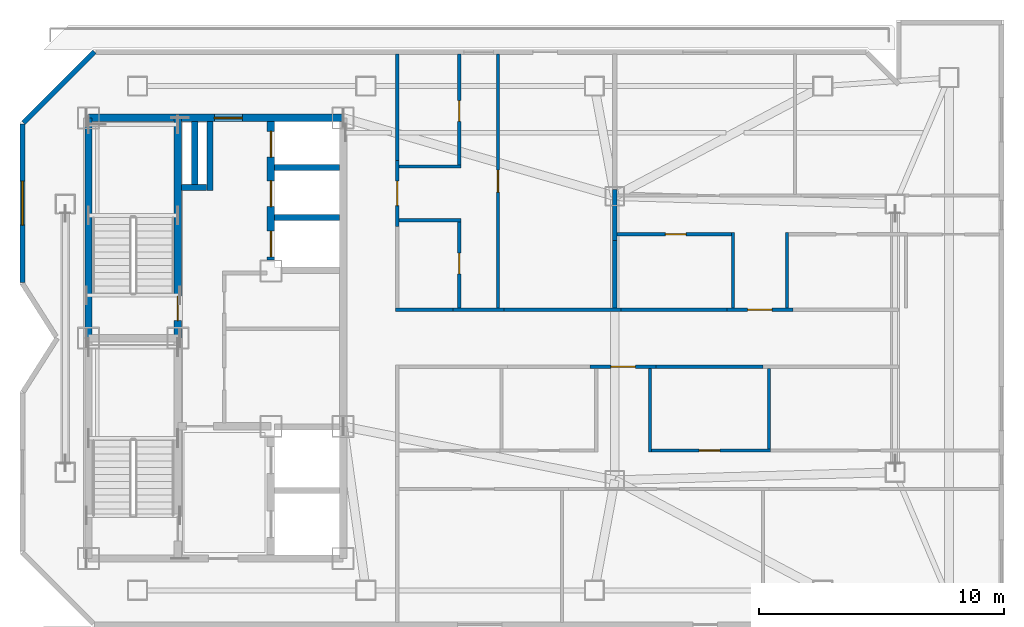
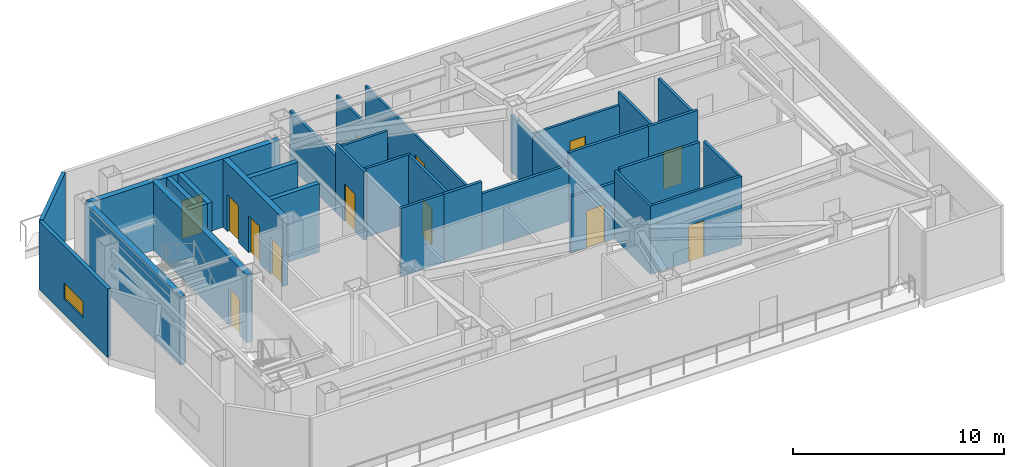
# One storey, part 5 of 10: 33 walls, 13 doors, 1 window, 14 openings.
"""IFC4 building model written with IfcOpenShell, lengths in metres."""

from ifc_helpers import new_model, si_unit, direction, frame, frame_2d, origin, place, context, subcontext, project, spatial, rectangle, extrude, material, layer, layer_set, type_object, element, fill, save


model = new_model("IFC4")

# Units and contexts
model_context = context("Model", 3, precision=1e-05, world=origin(), true_north=direction((0.0, 1.0)))
body_context = subcontext(model_context, "Body", "Model", "MODEL_VIEW")
ifc_project = project(units=[si_unit("LENGTHUNIT", "METRE"), si_unit("AREAUNIT", "SQUARE_METRE"), si_unit("VOLUMEUNIT", "CUBIC_METRE"), si_unit("PLANEANGLEUNIT", "RADIAN"), si_unit("MASSUNIT", "GRAM", prefix="KILO")], contexts=[model_context])

# Site, building, storey
site_placement = place(None, origin())
site = spatial("IfcSite", under=ifc_project, at=site_placement, CompositionType="ELEMENT")
building_placement = place(site_placement, origin())
building = spatial("IfcBuilding", under=site, at=building_placement, Name="Khamvora Tower", CompositionType="ELEMENT")
storey_placement = place(building_placement, frame((0.0, 0.0, 294.64990234375)))
storey = spatial("IfcBuildingStorey", under=building, at=storey_placement, Name="L75", CompositionType="ELEMENT", Elevation=294.64990234375)

# Wall
ifc_material_1 = material(Name="Concrete C50/60", Category="concrete")
ifc_layer_1 = layer(ifc_material_1, 0.300048828125)
ifc_layer_set_1 = layer_set([ifc_layer_1], Name="Concrete C50/60")
wall_type_1 = type_object("IfcWallType", Name="WAL-CORE-300", PredefinedType="SHEAR", material=ifc_layer_set_1)
wall_1_placement = place(storey_placement, frame((29.0, 28.0, 0.0), z_axis=(0.0, 0.0, 1.0), x_axis=(0.0, 1.0, 0.0)))
element("IfcWall", 1, at=wall_1_placement, inside=storey, type_object=wall_type_1, Name="L75 central core west north wall", PredefinedType="SHEAR", context=body_context, shape_type="SweptSolid", body=[
    extrude(rectangle(XDim=9.0, YDim=0.300048828125, at=frame_2d((4.5, 0.0))), origin(), (0.0, 0.0, 1.0), 3.9501953125),
])

# Wall, opening, door
wall_2_placement = place(storey_placement, frame((29.0, 37.0, 0.0), z_axis=(0.0, 0.0, 1.0), x_axis=(1.0, 0.0, 0.0)))
wall_2 = element("IfcWall", 2, at=wall_2_placement, inside=storey, type_object=wall_type_1, Name="L75 central core north wall", PredefinedType="SHEAR", context=body_context, shape_type="SweptSolid", body=[
    extrude(rectangle(XDim=10.39990234375, YDim=0.300048828125, at=frame_2d((5.199951171875, 0.0))), origin(), (0.0, 0.0, 1.0), 3.9501953125),
])
opening_1_placement = place(wall_2_placement, frame((5.139892578125, 0.0, 0.0)))
opening_1 = element("IfcOpeningElement", 3, at=opening_1_placement, cuts=wall_2, Name="Opening D-SC1", PredefinedType="OPENING", context=body_context, shape_type="SweptSolid", body=[
    extrude(rectangle(XDim=1.14990234375, YDim=2.199951171875, at=frame_2d((0.574951171875, 1.10009765625))), frame((0.0, 0.159912109375, 0.0), z_axis=(0.0, -1.0, 0.0), x_axis=(1.0, 0.0, 0.0)), (0.0, 0.0, 1.0), 0.320068359375),
])
ifc_material_2 = material(Name="Powder-Coated Steel and Hardwood Leaf", Category="steel")
door_type_1 = type_object("IfcDoorType", Name="DOR-SCHL-1150", OperationType="NOTDEFINED", PredefinedType="DOOR", material=ifc_material_2)
door_1_placement = place(opening_1_placement, origin())
door_1 = element("IfcDoor", 4, at=door_1_placement, inside=storey, type_object=door_type_1, Name="L75 north core lobby to corridor fire door", OperationType="SINGLE_SWING_RIGHT", OverallHeight=2.199951171875, OverallWidth=1.14990234375, PredefinedType="DOOR", context=body_context, shape_type="SweptSolid", body=[
    extrude(rectangle(XDim=1.14990234375, YDim=2.199951171875, at=frame_2d((0.574951171875, 1.10009765625))), frame((0.0, 0.02490234375, 0.0), z_axis=(0.0, -1.0, 0.0), x_axis=(1.0, 0.0, 0.0)), (0.0, 0.0, 1.0), 0.050048828125),
])
fill(opening_1, door_1)

wall_3_placement = place(storey_placement, frame((32.64990234375, 28.0, 0.0), z_axis=(0.0, 0.0, 1.0), x_axis=(0.0, 1.0, 0.0)))
wall_3 = element("IfcWall", 5, at=wall_3_placement, inside=storey, type_object=wall_type_1, Name="L75 central core stair north spine wall", PredefinedType="SHEAR", context=body_context, shape_type="SweptSolid", body=[
    extrude(rectangle(XDim=9.0, YDim=0.300048828125, at=frame_2d((4.5, 0.0))), origin(), (0.0, 0.0, 1.0), 3.9501953125),
])
opening_2_placement = place(wall_3_placement, frame((0.719970703125, 0.0, 0.0)))
opening_2 = element("IfcOpeningElement", 6, at=opening_2_placement, cuts=wall_3, Name="Opening D-ST1", PredefinedType="OPENING", context=body_context, shape_type="SweptSolid", body=[
    extrude(rectangle(XDim=1.0, YDim=2.14990234375, at=frame_2d((0.5, 1.074951171875))), frame((0.0, 0.159912109375, 0.0), z_axis=(0.0, -1.0, 0.0), x_axis=(1.0, 0.0, 0.0)), (0.0, 0.0, 1.0), 0.320068359375),
])
door_type_2 = type_object("IfcDoorType", Name="DOR-STAIR-1000", OperationType="NOTDEFINED", PredefinedType="DOOR", material=ifc_material_2)
door_2_placement = place(opening_2_placement, origin())
door_2 = element("IfcDoor", 7, at=door_2_placement, inside=storey, type_object=door_type_2, Name="L75 exit stair ST-02 fire door", OperationType="SINGLE_SWING_RIGHT", OverallHeight=2.14990234375, OverallWidth=1.0, PredefinedType="DOOR", context=body_context, shape_type="SweptSolid", body=[
    extrude(rectangle(XDim=1.0, YDim=2.14990234375, at=frame_2d((0.5, 1.074951171875))), frame((0.0, 0.02490234375, 0.0), z_axis=(0.0, -1.0, 0.0), x_axis=(1.0, 0.0, 0.0)), (0.0, 0.0, 1.0), 0.050048828125),
])
fill(opening_2, door_2)

# Wall, openings, doors
wall_4_placement = place(storey_placement, frame((36.449951171875, 31.199951171875, 0.0), z_axis=(0.0, 0.0, 1.0), x_axis=(0.0, 1.0, 0.0)))
wall_4 = element("IfcWall", 8, at=wall_4_placement, inside=storey, type_object=wall_type_1, Name="L75 central core lift bank central wall", PredefinedType="SHEAR", context=body_context, shape_type="SweptSolid", body=[
    extrude(rectangle(XDim=5.64599609375, YDim=0.300048828125, at=frame_2d((2.822998046875, 0.0))), origin(), (0.0, 0.0, 1.0), 3.9501953125),
])
opening_3_placement = place(wall_4_placement, frame((0.125, 0.0, 0.0)))
opening_3 = element("IfcOpeningElement", 9, at=opening_3_placement, cuts=wall_4, Name="Opening LD-PL", PredefinedType="OPENING", context=body_context, shape_type="SweptSolid", body=[
    extrude(rectangle(XDim=1.050048828125, YDim=2.14990234375, at=frame_2d((0.52490234375, 1.074951171875))), frame((0.0, 0.159912109375, 0.0), z_axis=(0.0, -1.0, 0.0), x_axis=(1.0, 0.0, 0.0)), (0.0, 0.0, 1.0), 0.320068359375),
])
opening_4_placement = place(wall_4_placement, frame((2.175048828125, 0.0, 0.0)))
opening_4 = element("IfcOpeningElement", 10, at=opening_4_placement, cuts=wall_4, Name="Opening LD-PL", PredefinedType="OPENING", context=body_context, shape_type="SweptSolid", body=[
    extrude(rectangle(XDim=1.050048828125, YDim=2.14990234375, at=frame_2d((0.52490234375, 1.074951171875))), frame((0.0, 0.159912109375, 0.0), z_axis=(0.0, -1.0, 0.0), x_axis=(1.0, 0.0, 0.0)), (0.0, 0.0, 1.0), 0.320068359375),
])
opening_5_placement = place(wall_4_placement, frame((4.195068359375, 0.0, 0.0)))
opening_5 = element("IfcOpeningElement", 11, at=opening_5_placement, cuts=wall_4, Name="Opening LD-PL", PredefinedType="OPENING", context=body_context, shape_type="SweptSolid", body=[
    extrude(rectangle(XDim=1.050048828125, YDim=2.14990234375, at=frame_2d((0.52490234375, 1.074951171875))), frame((0.0, 0.159912109375, 0.0), z_axis=(0.0, -1.0, 0.0), x_axis=(1.0, 0.0, 0.0)), (0.0, 0.0, 1.0), 0.320068359375),
])
door_type_3 = type_object("IfcDoorType", Name="DOR-LIFT-1050", OperationType="SLIDING_TO_LEFT", PredefinedType="DOOR", material=ifc_material_2)
door_3_placement = place(opening_3_placement, origin())
door_3 = element("IfcDoor", 12, at=door_3_placement, inside=storey, type_object=door_type_3, Name="L75 lift landing sliding door PH-01", OperationType="SLIDING_TO_LEFT", OverallHeight=2.14990234375, OverallWidth=1.050048828125, PredefinedType="DOOR", context=body_context, shape_type="SweptSolid", body=[
    extrude(rectangle(XDim=1.050048828125, YDim=2.14990234375, at=frame_2d((0.52490234375, 1.074951171875))), frame((0.0, 0.02490234375, 0.0), z_axis=(0.0, -1.0, 0.0), x_axis=(1.0, 0.0, 0.0)), (0.0, 0.0, 1.0), 0.050048828125),
])
fill(opening_3, door_3)
door_4_placement = place(opening_4_placement, origin())
door_4 = element("IfcDoor", 13, at=door_4_placement, inside=storey, type_object=door_type_3, Name="L75 lift landing sliding door PH-02", OperationType="SLIDING_TO_LEFT", OverallHeight=2.14990234375, OverallWidth=1.050048828125, PredefinedType="DOOR", context=body_context, shape_type="SweptSolid", body=[
    extrude(rectangle(XDim=1.050048828125, YDim=2.14990234375, at=frame_2d((0.52490234375, 1.074951171875))), frame((0.0, 0.02490234375, 0.0), z_axis=(0.0, -1.0, 0.0), x_axis=(1.0, 0.0, 0.0)), (0.0, 0.0, 1.0), 0.050048828125),
])
fill(opening_4, door_4)
door_5_placement = place(opening_5_placement, origin())
door_5 = element("IfcDoor", 14, at=door_5_placement, inside=storey, type_object=door_type_3, Name="L75 lift landing sliding door PH-03", OperationType="SLIDING_TO_LEFT", OverallHeight=2.14990234375, OverallWidth=1.050048828125, PredefinedType="DOOR", context=body_context, shape_type="SweptSolid", body=[
    extrude(rectangle(XDim=1.050048828125, YDim=2.14990234375, at=frame_2d((0.52490234375, 1.074951171875))), frame((0.0, 0.02490234375, 0.0), z_axis=(0.0, -1.0, 0.0), x_axis=(1.0, 0.0, 0.0)), (0.0, 0.0, 1.0), 0.050048828125),
])
fill(opening_5, door_5)

# Wall, opening, door
ifc_material_3 = material(Name="Fire-Rated Drywall and Steel Stud", Category="steel")
ifc_layer_2 = layer(ifc_material_3, 0.14990234375)
ifc_layer_set_2 = layer_set([ifc_layer_2], Name="Fire-Rated Drywall and Steel Stud")
wall_type_2 = type_object("IfcWallType", Name="WAL-CORR-150", PredefinedType="STANDARD", material=ifc_layer_set_2)
wall_5_placement = place(storey_placement, frame((52.18505859375, 26.8349609375, 0.0), z_axis=(0.0, 0.0, 1.0), x_axis=(-1.0, 0.0, 0.0)))
wall_5 = element("IfcWall", 15, at=wall_5_placement, inside=storey, type_object=wall_type_2, Name="L75 interior partition wall 008", PredefinedType="STANDARD", context=body_context, shape_type="SweptSolid", body=[
    extrude(rectangle(XDim=2.697998046875, YDim=0.14990234375, at=frame_2d((1.34912109375, 0.0))), origin(), (0.0, 0.0, 1.0), 3.2451171875),
])
opening_6_placement = place(wall_5_placement, frame((0.84912109375, 0.0, 0.0)))
opening_6 = element("IfcOpeningElement", 16, at=opening_6_placement, cuts=wall_5, Name="Opening D-U1", PredefinedType="OPENING", context=body_context, shape_type="SweptSolid", body=[
    extrude(rectangle(XDim=1.0, YDim=2.14990234375, at=frame_2d((0.5, 1.074951171875))), frame((0.0, 0.0849609375, 0.0), z_axis=(0.0, -1.0, 0.0), x_axis=(1.0, 0.0, 0.0)), (0.0, 0.0, 1.0), 0.169921875),
])
door_type_4 = type_object("IfcDoorType", Name="DOR-UNIT-1000", OperationType="NOTDEFINED", PredefinedType="DOOR", material=ifc_material_2)
door_6_placement = place(opening_6_placement, origin())
door_6 = element("IfcDoor", 17, at=door_6_placement, inside=storey, type_object=door_type_4, Name="L75 interior door COR-75BH", OperationType="SINGLE_SWING_LEFT", OverallHeight=2.14990234375, OverallWidth=1.0, PredefinedType="DOOR", context=body_context, shape_type="SweptSolid", body=[
    extrude(rectangle(XDim=1.0, YDim=2.14990234375, at=frame_2d((0.5, 1.074951171875))), frame((0.0, 0.02490234375, 0.0), z_axis=(0.0, -1.0, 0.0), x_axis=(1.0, 0.0, 0.0)), (0.0, 0.0, 1.0), 0.050048828125),
])
fill(opening_6, door_6)

# Walls
wall_6_placement = place(storey_placement, frame((56.552001953125, 26.8349609375, 0.0), z_axis=(0.0, 0.0, 1.0), x_axis=(-1.0, 0.0, 0.0)))
element("IfcWall", 18, at=wall_6_placement, inside=storey, type_object=wall_type_2, Name="L75 interior partition wall 011", PredefinedType="STANDARD", context=body_context, shape_type="SweptSolid", body=[
    extrude(rectangle(XDim=4.366943359375, YDim=0.14990234375, at=frame_2d((2.18359375, 0.0))), origin(), (0.0, 0.0, 1.0), 3.9501953125),
])
wall_7_placement = place(storey_placement, frame((43.89599609375, 29.1650390625, 0.0), z_axis=(0.0, 0.0, 1.0), x_axis=(1.0, 0.0, 0.0)))
element("IfcWall", 19, at=wall_7_placement, inside=storey, type_object=wall_type_2, Name="L75 interior partition wall 013", PredefinedType="STANDARD", context=body_context, shape_type="SweptSolid", body=[
    extrude(rectangle(XDim=2.078125, YDim=0.14990234375, at=frame_2d((1.0390625, 0.0))), origin(), (0.0, 0.0, 1.0), 3.9501953125),
])

# Wall, opening, door
wall_8_placement = place(storey_placement, frame((41.614990234375, 35.264892578125, 0.0), z_axis=(0.0, 0.0, 1.0), x_axis=(0.0, -1.0, 0.0)))
wall_8 = element("IfcWall", 20, at=wall_8_placement, inside=storey, type_object=wall_type_2, Name="L75 interior partition wall 014", PredefinedType="STANDARD", context=body_context, shape_type="SweptSolid", body=[
    extrude(rectangle(XDim=2.697998046875, YDim=0.14990234375, at=frame_2d((1.34912109375, 0.0))), origin(), (0.0, 0.0, 1.0), 3.9501953125),
])
opening_7_placement = place(wall_8_placement, frame((0.84912109375, 0.0, 0.0)))
opening_7 = element("IfcOpeningElement", 21, at=opening_7_placement, cuts=wall_8, Name="Opening D-U1", PredefinedType="OPENING", context=body_context, shape_type="SweptSolid", body=[
    extrude(rectangle(XDim=1.0, YDim=2.14990234375, at=frame_2d((0.5, 1.074951171875))), frame((0.0, 0.0849609375, 0.0), z_axis=(0.0, -1.0, 0.0), x_axis=(1.0, 0.0, 0.0)), (0.0, 0.0, 1.0), 0.169921875),
])
door_7_placement = place(opening_7_placement, origin())
door_7 = element("IfcDoor", 22, at=door_7_placement, inside=storey, type_object=door_type_4, Name="L75 interior door COR-75CH", OperationType="SINGLE_SWING_RIGHT", OverallHeight=2.14990234375, OverallWidth=1.0, PredefinedType="DOOR", context=body_context, shape_type="SweptSolid", body=[
    extrude(rectangle(XDim=1.0, YDim=2.14990234375, at=frame_2d((0.5, 1.074951171875))), frame((0.0, 0.02490234375, 0.0), z_axis=(0.0, -1.0, 0.0), x_axis=(1.0, 0.0, 0.0)), (0.0, 0.0, 1.0), 0.050048828125),
])
fill(opening_7, door_7)

# Walls
wall_9_placement = place(storey_placement, frame((41.550048828125, 29.1650390625, 0.0), z_axis=(0.0, 0.0, 1.0), x_axis=(1.0, 0.0, 0.0)))
element("IfcWall", 23, at=wall_9_placement, inside=storey, type_object=wall_type_2, Name="L75 interior partition wall 015", PredefinedType="STANDARD", context=body_context, shape_type="SweptSolid", body=[
    extrude(rectangle(XDim=2.345947265625, YDim=0.14990234375, at=frame_2d((1.1728515625, 0.0))), origin(), (0.0, 0.0, 1.0), 3.9501953125),
])
wall_10_placement = place(storey_placement, frame((41.614990234375, 39.60791015625, 0.0), z_axis=(0.0, 0.0, 1.0), x_axis=(0.0, -1.0, 0.0)))
element("IfcWall", 24, at=wall_10_placement, inside=storey, type_object=wall_type_2, Name="L75 interior partition wall 017", PredefinedType="STANDARD", context=body_context, shape_type="SweptSolid", body=[
    extrude(rectangle(XDim=4.343017578125, YDim=0.14990234375, at=frame_2d((2.17138671875, 0.0))), origin(), (0.0, 0.0, 1.0), 3.2451171875),
])
wall_11_placement = place(storey_placement, frame((45.97412109375, 29.1650390625, 0.0), z_axis=(0.0, 0.0, 1.0), x_axis=(1.0, 0.0, 0.0)))
element("IfcWall", 25, at=wall_11_placement, inside=storey, type_object=wall_type_2, Name="L75 interior partition wall 018", PredefinedType="STANDARD", context=body_context, shape_type="SweptSolid", body=[
    extrude(rectangle(XDim=4.769775390625, YDim=0.14990234375, at=frame_2d((2.384765625, 0.0))), origin(), (0.0, 0.0, 1.0), 3.2451171875),
])

# Wall, opening, door
wall_12_placement = place(storey_placement, frame((55.08203125, 29.1650390625, 0.0), z_axis=(0.0, 0.0, 1.0), x_axis=(1.0, 0.0, 0.0)))
wall_12 = element("IfcWall", 26, at=wall_12_placement, inside=storey, type_object=wall_type_2, Name="L75 interior partition wall 019", PredefinedType="STANDARD", context=body_context, shape_type="SweptSolid", body=[
    extrude(rectangle(XDim=2.697998046875, YDim=0.14990234375, at=frame_2d((1.34912109375, 0.0))), origin(), (0.0, 0.0, 1.0), 3.9501953125),
])
opening_8_placement = place(wall_12_placement, frame((0.84912109375, 0.0, 0.0)))
opening_8 = element("IfcOpeningElement", 27, at=opening_8_placement, cuts=wall_12, Name="Opening D-U1", PredefinedType="OPENING", context=body_context, shape_type="SweptSolid", body=[
    extrude(rectangle(XDim=1.0, YDim=2.14990234375, at=frame_2d((0.5, 1.074951171875))), frame((0.0, 0.0849609375, 0.0), z_axis=(0.0, -1.0, 0.0), x_axis=(1.0, 0.0, 0.0)), (0.0, 0.0, 1.0), 0.169921875),
])
door_8_placement = place(opening_8_placement, origin())
door_8 = element("IfcDoor", 28, at=door_8_placement, inside=storey, type_object=door_type_4, Name="L75 interior door COR-75DH", OperationType="SINGLE_SWING_LEFT", OverallHeight=2.14990234375, OverallWidth=1.0, PredefinedType="DOOR", context=body_context, shape_type="SweptSolid", body=[
    extrude(rectangle(XDim=1.0, YDim=2.14990234375, at=frame_2d((0.5, 1.074951171875))), frame((0.0, 0.02490234375, 0.0), z_axis=(0.0, -1.0, 0.0), x_axis=(1.0, 0.0, 0.0)), (0.0, 0.0, 1.0), 0.050048828125),
])
fill(opening_8, door_8)

# Walls
wall_13_placement = place(storey_placement, frame((50.743896484375, 29.1650390625, 0.0), z_axis=(0.0, 0.0, 1.0), x_axis=(1.0, 0.0, 0.0)))
element("IfcWall", 29, at=wall_13_placement, inside=storey, type_object=wall_type_2, Name="L75 interior partition wall 020", PredefinedType="STANDARD", context=body_context, shape_type="SweptSolid", body=[
    extrude(rectangle(XDim=4.338134765625, YDim=0.14990234375, at=frame_2d((2.1689453125, 0.0))), origin(), (0.0, 0.0, 1.0), 3.9501953125),
])
ifc_material_4 = material(Name="Acoustic Double-Stud Fire Wall", Category="gypsum")
ifc_layer_3 = layer(ifc_material_4, 0.179931640625)
ifc_layer_set_3 = layer_set([ifc_layer_3], Name="Acoustic Double-Stud Fire Wall")
wall_type_3 = type_object("IfcWallType", Name="WAL-CORR-180", PredefinedType="STANDARD", material=ifc_layer_set_3)
wall_14_placement = place(storey_placement, frame((50.4951171875, 34.068115234375, 0.0), z_axis=(0.0, 0.0, 1.0), x_axis=(0.0, -1.0, 0.0)))
element("IfcWall", 30, at=wall_14_placement, inside=storey, type_object=wall_type_3, Name="L75 interior partition wall 040", PredefinedType="STANDARD", context=body_context, shape_type="SweptSolid", body=[
    extrude(rectangle(XDim=2.069091796875, YDim=0.179931640625, at=frame_2d((1.03466796875, 0.0))), origin(), (0.0, 0.0, 1.0), 3.2451171875),
])
wall_15_placement = place(storey_placement, frame((50.4951171875, 31.9990234375, 0.0), z_axis=(0.0, 0.0, 1.0), x_axis=(0.0, -1.0, 0.0)))
element("IfcWall", 31, at=wall_15_placement, inside=storey, type_object=wall_type_3, Name="L75 interior partition wall 041", PredefinedType="STANDARD", context=body_context, shape_type="SweptSolid", body=[
    extrude(rectangle(XDim=2.76904296875, YDim=0.179931640625, at=frame_2d((1.384521484375, 0.0))), origin(), (0.0, 0.0, 1.0), 3.2451171875),
])

# Wall, opening, window
ifc_material_5 = material(Name="Precast concrete C40/50", Category="concrete")
ifc_layer_4 = layer(ifc_material_5, 0.199951171875)
ifc_layer_set_4 = layer_set([ifc_layer_4], Name="Precast concrete C40/50")
wall_type_4 = type_object("IfcWallType", Name="WAL-EXT-200", PredefinedType="STANDARD", material=ifc_layer_set_4)
wall_16_placement = place(storey_placement, frame((26.300048828125, 30.27392578125, 0.0), z_axis=(0.0, 0.0, 1.0), x_axis=(0.0, 1.0, 0.0)))
wall_16 = element("IfcWall", 32, at=wall_16_placement, inside=storey, type_object=wall_type_4, Name="L75 exterior facade wall 06.1", PredefinedType="STANDARD", context=body_context, shape_type="SweptSolid", body=[
    extrude(rectangle(XDim=6.485107421875, YDim=0.199951171875, at=frame_2d((3.24267578125, 0.0))), origin(), (0.0, 0.0, 1.0), 3.9501953125),
])
opening_9_placement = place(wall_16_placement, frame((2.342041015625, 0.0, 0.89990234375)))
opening_9 = element("IfcOpeningElement", 33, at=opening_9_placement, cuts=wall_16, Name="Opening WN-09", PredefinedType="OPENING", context=body_context, shape_type="SweptSolid", body=[
    extrude(rectangle(XDim=1.800048828125, YDim=0.919921875, at=frame_2d((0.89990234375, 0.4599609375))), frame((0.0, 0.10986328125, 0.0), z_axis=(0.0, -1.0, 0.0), x_axis=(1.0, 0.0, 0.0)), (0.0, 0.0, 1.0), 0.219970703125),
])
ifc_material_6 = material(Name="Low-E Laminated Double Glazing", Category="glass")
window_type = type_object("IfcWindowType", Name="WIN-CLR-1800x920", PartitioningType="SINGLE_PANEL", PredefinedType="WINDOW", material=ifc_material_6)
window_placement = place(opening_9_placement, origin())
window = element("IfcWindow", 34, at=window_placement, inside=storey, type_object=window_type, Name="L75 vision window 06.1.01", OverallHeight=0.919921875, OverallWidth=1.800048828125, PartitioningType="SINGLE_PANEL", PredefinedType="WINDOW", context=body_context, shape_type="SweptSolid", body=[
    extrude(rectangle(XDim=1.800048828125, YDim=0.919921875, at=frame_2d((0.89990234375, 0.4599609375))), frame((0.0, 0.030029296875, 0.0), z_axis=(0.0, -1.0, 0.0), x_axis=(1.0, 0.0, 0.0)), (0.0, 0.0, 1.0), 0.06005859375),
])
fill(opening_9, window)

# Wall
wall_17_placement = place(storey_placement, frame((26.343994140625, 36.802978515625, 0.0), z_axis=(0.0, 0.0, 1.0), x_axis=(0.707106781187, 0.707106781187, 0.0)))
element("IfcWall", 35, at=wall_17_placement, inside=storey, type_object=wall_type_4, Name="L75 exterior facade wall 07.1", PredefinedType="STANDARD", context=body_context, shape_type="SweptSolid", body=[
    extrude(rectangle(XDim=4.096923828125, YDim=0.199951171875, at=frame_2d((2.04833984375, 0.0))), origin(), (0.0, 0.0, 1.0), 3.9501953125),
])

# Wall, opening, door
ifc_material_7 = material(Name="Gypsum Plasterboard Partition", Category="gypsum")
ifc_layer_5 = layer(ifc_material_7, 0.1201171875)
ifc_layer_set_5 = layer_set([ifc_layer_5], Name="Gypsum Plasterboard Partition")
wall_type_5 = type_object("IfcWallType", Name="WAL-PART-120", PredefinedType="PARTITIONING", material=ifc_layer_set_5)
wall_18_placement = place(storey_placement, frame((45.72509765625, 39.60791015625, 0.0), z_axis=(0.0, 0.0, 1.0), x_axis=(0.0, -1.0, 0.0)))
wall_18 = element("IfcWall", 36, at=wall_18_placement, inside=storey, type_object=wall_type_5, Name="L75 interior partition wall 039", PredefinedType="PARTITIONING", context=body_context, shape_type="SweptSolid", body=[
    extrude(rectangle(XDim=10.3779296875, YDim=0.1201171875, at=frame_2d((5.18896484375, 0.0))), origin(), (0.0, 0.0, 1.0), 3.2451171875),
])
opening_10_placement = place(wall_18_placement, frame((4.739013671875, 0.0, 0.0)))
opening_10 = element("IfcOpeningElement", 37, at=opening_10_placement, cuts=wall_18, Name="Opening D-RM1", PredefinedType="OPENING", context=body_context, shape_type="SweptSolid", body=[
    extrude(rectangle(XDim=0.89990234375, YDim=2.10009765625, at=frame_2d((0.449951171875, 1.050048828125))), frame((0.0, 0.070068359375, 0.0), z_axis=(0.0, -1.0, 0.0), x_axis=(1.0, 0.0, 0.0)), (0.0, 0.0, 1.0), 0.14013671875),
])
door_type_5 = type_object("IfcDoorType", Name="DOR-ROOM-900", OperationType="NOTDEFINED", PredefinedType="DOOR", material=ifc_material_2)
door_9_placement = place(opening_10_placement, origin())
door_9 = element("IfcDoor", 38, at=door_9_placement, inside=storey, type_object=door_type_5, Name="L75 interior door 75CH-75CR1", OperationType="SINGLE_SWING_LEFT", OverallHeight=2.10009765625, OverallWidth=0.89990234375, PredefinedType="DOOR", context=body_context, shape_type="SweptSolid", body=[
    extrude(rectangle(XDim=0.89990234375, YDim=2.10009765625, at=frame_2d((0.449951171875, 1.050048828125))), frame((0.0, 0.02490234375, 0.0), z_axis=(0.0, -1.0, 0.0), x_axis=(1.0, 0.0, 0.0)), (0.0, 0.0, 1.0), 0.050048828125),
])
fill(opening_10, door_9)

# Walls
ifc_material_8 = material(Name="Concrete C40/50", Category="concrete")
ifc_layer_6 = layer(ifc_material_8, 0.25)
ifc_layer_set_6 = layer_set([ifc_layer_6], Name="Concrete C40/50")
wall_type_6 = type_object("IfcWallType", Name="WAL-PODS-250", PredefinedType="SHEAR", material=ifc_layer_set_6)
for number, where, z_axis, x_axis, name in (
    (39, (36.60400390625, 32.925048828125, 0.0), (0.0, 0.0, 1.0), (1.0, 0.0, 0.0), "L75 lift shaft divider wall PH-01"),
    (40, (36.60400390625, 34.97509765625, 0.0), (0.0, 0.0, 1.0), (1.0, 0.0, 0.0), "L75 lift shaft divider wall PH-02"),
):
    element("IfcWall", number, at=place(storey_placement, frame(where, z_axis=z_axis, x_axis=x_axis)), inside=storey, type_object=wall_type_6, Name=name, PredefinedType="SHEAR", context=body_context, shape_type="SweptSolid", body=[
        extrude(rectangle(XDim=2.64208984375, YDim=0.25, at=frame_2d((1.321044921875, 0.0))), origin(), (0.0, 0.0, 1.0), 3.9501953125),
    ])
wall_19_placement = place(storey_placement, frame((33.955078125, 34.02490234375, 0.0), z_axis=(0.0, 0.0, 1.0), x_axis=(0.0, 1.0, 0.0)))
element("IfcWall", 41, at=wall_19_placement, inside=storey, type_object=wall_type_6, Name="L75 vertical MEP riser shaft east enclosure wall", PredefinedType="SHEAR", context=body_context, shape_type="SweptSolid", body=[
    extrude(rectangle(XDim=2.821044921875, YDim=0.25, at=frame_2d((1.41064453125, 0.0))), origin(), (0.0, 0.0, 1.0), 3.9501953125),
])
wall_20_placement = place(storey_placement, frame((32.803955078125, 34.14990234375, 0.0), z_axis=(0.0, 0.0, 1.0), x_axis=(1.0, 0.0, 0.0)))
element("IfcWall", 42, at=wall_20_placement, inside=storey, type_object=wall_type_6, Name="L75 vertical MEP riser shaft south enclosure wall", PredefinedType="SHEAR", context=body_context, shape_type="SweptSolid", body=[
    extrude(rectangle(XDim=1.02197265625, YDim=0.25, at=frame_2d((0.510986328125, 0.0))), origin(), (0.0, 0.0, 1.0), 3.9501953125),
])
wall_21_placement = place(storey_placement, frame((33.340087890625, 34.279052734375, 0.0), z_axis=(0.0, 0.0, 1.0), x_axis=(0.0, 1.0, 0.0)))
element("IfcWall", 43, at=wall_21_placement, inside=storey, type_object=wall_type_6, Name="L75 vertical MEP riser shaft divider enclosure wall", PredefinedType="SHEAR", context=body_context, shape_type="SweptSolid", body=[
    extrude(rectangle(XDim=2.56689453125, YDim=0.25, at=frame_2d((1.283447265625, 0.0))), origin(), (0.0, 0.0, 1.0), 3.9501953125),
])
ifc_material_9 = material(Name="Moisture-Resistant Plasterboard Partition", Category="gypsum")
ifc_layer_7 = layer(ifc_material_9, 0.135009765625)
ifc_layer_set_7 = layer_set([ifc_layer_7], Name="Moisture-Resistant Plasterboard Partition")
wall_type_7 = type_object("IfcWallType", Name="WAL-WET-135", PredefinedType="PARTITIONING", material=ifc_layer_set_7)
wall_22_placement = place(storey_placement, frame((56.801025390625, 23.48095703125, 0.0), z_axis=(0.0, 0.0, 1.0), x_axis=(0.0, 1.0, 0.0)))
element("IfcWall", 44, at=wall_22_placement, inside=storey, type_object=wall_type_7, Name="L75 interior partition wall 025", PredefinedType="PARTITIONING", context=body_context, shape_type="SweptSolid", body=[
    extrude(rectangle(XDim=3.2890625, YDim=0.135009765625, at=frame_2d((1.64453125, 0.0))), origin(), (0.0, 0.0, 1.0), 3.9501953125),
])
wall_23_placement = place(storey_placement, frame((51.93603515625, 26.77001953125, 0.0), z_axis=(0.0, 0.0, 1.0), x_axis=(0.0, -1.0, 0.0)))
element("IfcWall", 45, at=wall_23_placement, inside=storey, type_object=wall_type_7, Name="L75 interior partition wall 028", PredefinedType="PARTITIONING", context=body_context, shape_type="SweptSolid", body=[
    extrude(rectangle(XDim=3.4189453125, YDim=0.135009765625, at=frame_2d((1.70947265625, 0.0))), origin(), (0.0, 0.0, 1.0), 3.9501953125),
])

# Wall, opening, door
wall_24_placement = place(storey_placement, frame((51.87109375, 23.416015625, 0.0), z_axis=(0.0, 0.0, 1.0), x_axis=(1.0, 0.0, 0.0)))
wall_24 = element("IfcWall", 46, at=wall_24_placement, inside=storey, type_object=wall_type_7, Name="L75 interior partition wall 029", PredefinedType="PARTITIONING", context=body_context, shape_type="SweptSolid", body=[
    extrude(rectangle(XDim=4.994873046875, YDim=0.135009765625, at=frame_2d((2.49755859375, 0.0))), origin(), (0.0, 0.0, 1.0), 3.9501953125),
])
opening_11_placement = place(wall_24_placement, frame((2.072998046875, 0.0, 0.0)))
opening_11 = element("IfcOpeningElement", 47, at=opening_11_placement, cuts=wall_24, Name="Opening D-RM2", PredefinedType="OPENING", context=body_context, shape_type="SweptSolid", body=[
    extrude(rectangle(XDim=0.85009765625, YDim=2.10009765625, at=frame_2d((0.425048828125, 1.050048828125))), frame((0.0, 0.077392578125, 0.0), z_axis=(0.0, -1.0, 0.0), x_axis=(1.0, 0.0, 0.0)), (0.0, 0.0, 1.0), 0.155029296875),
])
door_type_6 = type_object("IfcDoorType", Name="DOR-ROOM-850", OperationType="NOTDEFINED", PredefinedType="DOOR", material=ifc_material_2)
door_10_placement = place(opening_11_placement, origin())
door_10 = element("IfcDoor", 48, at=door_10_placement, inside=storey, type_object=door_type_6, Name="L75 interior door 75BH-75BK", OperationType="SINGLE_SWING_LEFT", OverallHeight=2.10009765625, OverallWidth=0.85009765625, PredefinedType="DOOR", context=body_context, shape_type="SweptSolid", body=[
    extrude(rectangle(XDim=0.85009765625, YDim=2.10009765625, at=frame_2d((0.425048828125, 1.050048828125))), frame((0.0, 0.02490234375, 0.0), z_axis=(0.0, -1.0, 0.0), x_axis=(1.0, 0.0, 0.0)), (0.0, 0.0, 1.0), 0.050048828125),
])
fill(opening_11, door_10)

wall_25_placement = place(storey_placement, frame((44.14501953125, 29.22998046875, 0.0), z_axis=(0.0, 0.0, 1.0), x_axis=(0.0, 1.0, 0.0)))
wall_25 = element("IfcWall", 49, at=wall_25_placement, inside=storey, type_object=wall_type_7, Name="L75 interior partition wall 035", PredefinedType="PARTITIONING", context=body_context, shape_type="SweptSolid", body=[
    extrude(rectangle(XDim=3.651123046875, YDim=0.135009765625, at=frame_2d((1.82568359375, 0.0))), origin(), (0.0, 0.0, 1.0), 3.9501953125),
])
opening_12_placement = place(wall_25_placement, frame((1.39990234375, 0.0, 0.0)))
opening_12 = element("IfcOpeningElement", 50, at=opening_12_placement, cuts=wall_25, Name="Opening D-WC1", PredefinedType="OPENING", context=body_context, shape_type="SweptSolid", body=[
    extrude(rectangle(XDim=0.85009765625, YDim=2.10009765625, at=frame_2d((0.425048828125, 1.050048828125))), frame((0.0, 0.077392578125, 0.0), z_axis=(0.0, -1.0, 0.0), x_axis=(1.0, 0.0, 0.0)), (0.0, 0.0, 1.0), 0.155029296875),
])
door_type_7 = type_object("IfcDoorType", Name="DOR-WET-850", OperationType="NOTDEFINED", PredefinedType="DOOR", material=ifc_material_2)
door_11_placement = place(opening_12_placement, origin())
door_11 = element("IfcDoor", 51, at=door_11_placement, inside=storey, type_object=door_type_7, Name="L75 interior door 75CH-75CB", OperationType="SINGLE_SWING_LEFT", OverallHeight=2.10009765625, OverallWidth=0.85009765625, PredefinedType="DOOR", context=body_context, shape_type="SweptSolid", body=[
    extrude(rectangle(XDim=0.85009765625, YDim=2.10009765625, at=frame_2d((0.425048828125, 1.050048828125))), frame((0.0, 0.02490234375, 0.0), z_axis=(0.0, -1.0, 0.0), x_axis=(1.0, 0.0, 0.0)), (0.0, 0.0, 1.0), 0.050048828125),
])
fill(opening_12, door_11)

# Walls
for number, where, z_axis, x_axis, name in (
    (52, (44.2099609375, 32.81591796875, 0.0), (0.0, 0.0, 1.0), (-1.0, 0.0, 0.0), "L75 interior partition wall 036"),
    (53, (41.681884765625, 35.01611328125, 0.0), (0.0, 0.0, 1.0), (1.0, 0.0, 0.0), "L75 interior partition wall 037"),
):
    element("IfcWall", number, at=place(storey_placement, frame(where, z_axis=z_axis, x_axis=x_axis)), inside=storey, type_object=wall_type_7, Name=name, PredefinedType="PARTITIONING", context=body_context, shape_type="SweptSolid", body=[
        extrude(rectangle(XDim=2.528076171875, YDim=0.135009765625, at=frame_2d((1.26416015625, 0.0))), origin(), (0.0, 0.0, 1.0), 3.9501953125),
    ])

# Wall, opening, door
wall_26_placement = place(storey_placement, frame((44.14501953125, 34.950927734375, 0.0), z_axis=(0.0, 0.0, 1.0), x_axis=(0.0, 1.0, 0.0)))
wall_26 = element("IfcWall", 54, at=wall_26_placement, inside=storey, type_object=wall_type_7, Name="L75 interior partition wall 038", PredefinedType="PARTITIONING", context=body_context, shape_type="SweptSolid", body=[
    extrude(rectangle(XDim=4.656982421875, YDim=0.135009765625, at=frame_2d((2.32861328125, 0.0))), origin(), (0.0, 0.0, 1.0), 3.2451171875),
])
opening_13_placement = place(wall_26_placement, frame((1.903076171875, 0.0, 0.0)))
opening_13 = element("IfcOpeningElement", 55, at=opening_13_placement, cuts=wall_26, Name="Opening D-RM2", PredefinedType="OPENING", context=body_context, shape_type="SweptSolid", body=[
    extrude(rectangle(XDim=0.85009765625, YDim=2.10009765625, at=frame_2d((0.425048828125, 1.050048828125))), frame((0.0, 0.077392578125, 0.0), z_axis=(0.0, -1.0, 0.0), x_axis=(1.0, 0.0, 0.0)), (0.0, 0.0, 1.0), 0.155029296875),
])
door_12_placement = place(opening_13_placement, origin())
door_12 = element("IfcDoor", 56, at=door_12_placement, inside=storey, type_object=door_type_6, Name="L75 interior door 75CH-75CK", OperationType="SINGLE_SWING_RIGHT", OverallHeight=2.10009765625, OverallWidth=0.85009765625, PredefinedType="DOOR", context=body_context, shape_type="SweptSolid", body=[
    extrude(rectangle(XDim=0.85009765625, YDim=2.10009765625, at=frame_2d((0.425048828125, 1.050048828125))), frame((0.0, 0.02490234375, 0.0), z_axis=(0.0, -1.0, 0.0), x_axis=(1.0, 0.0, 0.0)), (0.0, 0.0, 1.0), 0.050048828125),
])
fill(opening_13, door_12)

# Wall
wall_27_placement = place(storey_placement, frame((55.3310546875, 29.22998046875, 0.0), z_axis=(0.0, 0.0, 1.0), x_axis=(0.0, 1.0, 0.0)))
element("IfcWall", 57, at=wall_27_placement, inside=storey, type_object=wall_type_7, Name="L75 interior partition wall 045", PredefinedType="PARTITIONING", context=body_context, shape_type="SweptSolid", body=[
    extrude(rectangle(XDim=3.0791015625, YDim=0.135009765625, at=frame_2d((1.53955078125, 0.0))), origin(), (0.0, 0.0, 1.0), 3.9501953125),
])

# Wall, opening, door
wall_28_placement = place(storey_placement, frame((55.39599609375, 32.243896484375, 0.0), z_axis=(0.0, 0.0, 1.0), x_axis=(-1.0, 0.0, 0.0)))
wall_28 = element("IfcWall", 58, at=wall_28_placement, inside=storey, type_object=wall_type_7, Name="L75 interior partition wall 046", PredefinedType="PARTITIONING", context=body_context, shape_type="SweptSolid", body=[
    extrude(rectangle(XDim=4.819091796875, YDim=0.135009765625, at=frame_2d((2.40966796875, 0.0))), origin(), (0.0, 0.0, 1.0), 3.2451171875),
])
opening_14_placement = place(wall_28_placement, frame((1.98388671875, 0.0, 0.0)))
opening_14 = element("IfcOpeningElement", 59, at=opening_14_placement, cuts=wall_28, Name="Opening D-WC1", PredefinedType="OPENING", context=body_context, shape_type="SweptSolid", body=[
    extrude(rectangle(XDim=0.85009765625, YDim=2.10009765625, at=frame_2d((0.425048828125, 1.050048828125))), frame((0.0, 0.077392578125, 0.0), z_axis=(0.0, -1.0, 0.0), x_axis=(1.0, 0.0, 0.0)), (0.0, 0.0, 1.0), 0.155029296875),
])
door_13_placement = place(opening_14_placement, origin())
door_13 = element("IfcDoor", 60, at=door_13_placement, inside=storey, type_object=door_type_7, Name="L75 interior door 75DH-75DB", OperationType="SINGLE_SWING_LEFT", OverallHeight=2.10009765625, OverallWidth=0.85009765625, PredefinedType="DOOR", context=body_context, shape_type="SweptSolid", body=[
    extrude(rectangle(XDim=0.85009765625, YDim=2.10009765625, at=frame_2d((0.425048828125, 1.050048828125))), frame((0.0, 0.02490234375, 0.0), z_axis=(0.0, -1.0, 0.0), x_axis=(1.0, 0.0, 0.0)), (0.0, 0.0, 1.0), 0.050048828125),
])
fill(opening_14, door_13)

# Wall
wall_29_placement = place(storey_placement, frame((57.531005859375, 32.30908203125, 0.0), z_axis=(0.0, 0.0, 1.0), x_axis=(0.0, -1.0, 0.0)))
element("IfcWall", 61, at=wall_29_placement, inside=storey, type_object=wall_type_7, Name="L75 interior partition wall 048", PredefinedType="PARTITIONING", context=body_context, shape_type="SweptSolid", body=[
    extrude(rectangle(XDim=3.0791015625, YDim=0.135009765625, at=frame_2d((1.53955078125, 0.0))), origin(), (0.0, 0.0, 1.0), 3.9501953125),
])

save(model, "model.ifc")
